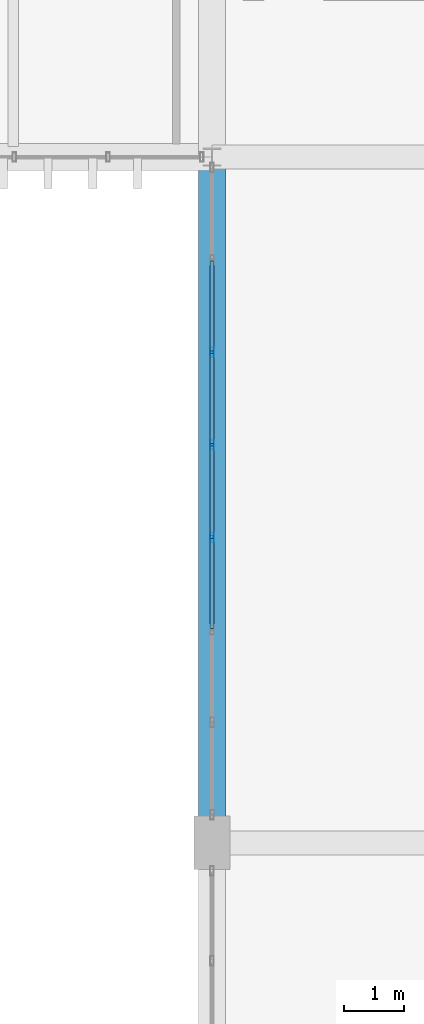
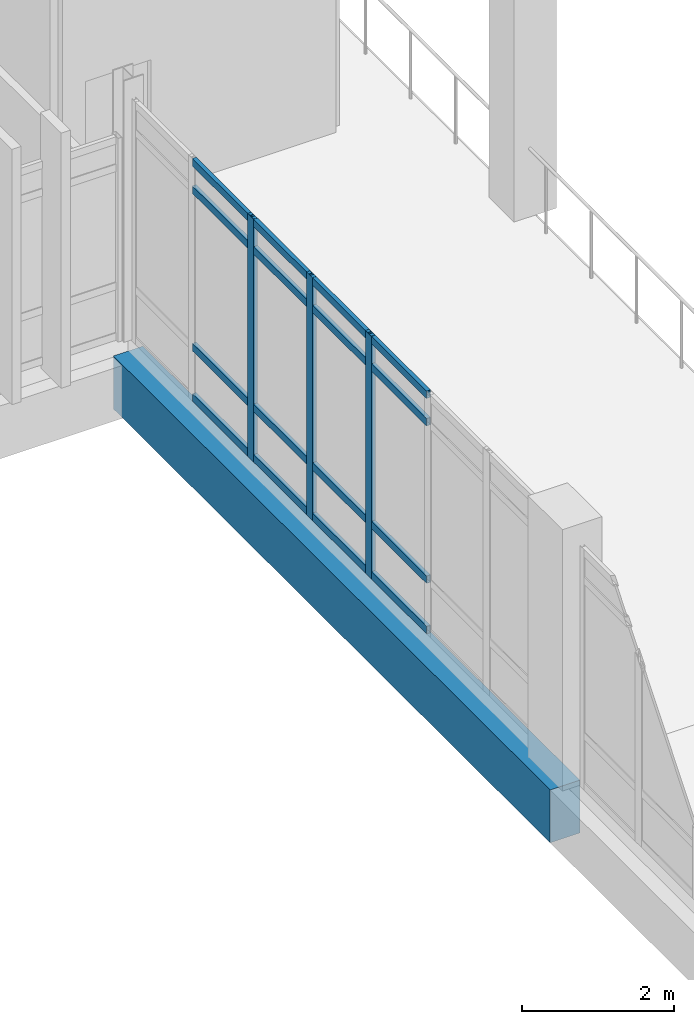
# One storey, part 83 of 161: 19 members, 1 beam, 1 element without a shape of its own.
"""IFC4 building model written with IfcOpenShell, lengths in metres."""

from ifc_helpers import new_model, si_unit, direction, frame, origin, origin_2d, place, context, subcontext, project, spatial, rectangle, hollow_rectangle, extrude, material, layer, layer_set, material_profile, profile_set, type_object, element, aggregate, save


model = new_model("IFC4")

# Units and contexts
model_context = context("Model", 3, precision=1e-05, world=origin(), true_north=direction((0.0, 1.0)))
body_context = subcontext(model_context, "Body", "Model", "MODEL_VIEW")
ifc_project = project(units=[si_unit("LENGTHUNIT", "METRE"), si_unit("AREAUNIT", "SQUARE_METRE"), si_unit("VOLUMEUNIT", "CUBIC_METRE"), si_unit("PLANEANGLEUNIT", "RADIAN"), si_unit("MASSUNIT", "GRAM", prefix="KILO")], contexts=[model_context])

# Site, building, storey
site_placement = place(None, origin())
site = spatial("IfcSite", under=ifc_project, at=site_placement, CompositionType="ELEMENT")
building_placement = place(site_placement, origin())
building = spatial("IfcBuilding", under=site, at=building_placement, Name="Mersad Railyard Sports Hall", CompositionType="ELEMENT")
storey_placement = place(building_placement, frame((0.0, 0.0, 4.800048828125)))
storey = spatial("IfcBuildingStorey", under=building, at=storey_placement, Name="L01", CompositionType="ELEMENT", Elevation=4.800048828125)

# Curtain wall, members
ifc_material_1 = material(Name="Aluminium 6063-T6", Category="aluminium")
ifc_layer = layer(ifc_material_1, 0.159912109375)
ifc_layer_set = layer_set([ifc_layer], Name="Aluminium 6063-T6")
curtain_wall_type = type_object("IfcCurtainWallType", Name="ARC-CW-CW27", PredefinedType="USERDEFINED", material=ifc_layer_set)
curtain_wall_placement = place(storey_placement, origin())
curtain_wall = element("IfcCurtainWall", 1, at=curtain_wall_placement, inside=storey, type_object=curtain_wall_type, Name="Curtain wall CW27-0078", ObjectType="CURTAIN WALL", PredefinedType="USERDEFINED")
ifc_material_profile_1 = material_profile(ifc_material_1, hollow_rectangle(XDim=0.06005859375, YDim=0.159912109375, WallThickness=0.00390625, at=origin_2d()), Name="AL MULLION 60x160x4")
ifc_profile_set_1 = profile_set([ifc_material_profile_1], Name="Aluminium 6063-T6")
member_type_1 = type_object("IfcMemberType", Name="ARC-CW-MUL01", PredefinedType="MULLION", material=ifc_profile_set_1)
member_1_placement = place(storey_placement, frame((131.0, 78.624267578125, -0.02001953125), z_axis=(0.0, 0.0, 1.0), x_axis=(1.0, 0.0, 0.0)))
member_1 = element("IfcMember", 2, at=member_1_placement, type_object=member_type_1, Name="CW27 Mullion 4", PredefinedType="MULLION", context=body_context, shape_type="SweptSolid", body=[
    extrude(hollow_rectangle(XDim=0.06005859375, YDim=0.159912109375, WallThickness=0.00390625, at=origin_2d()), origin(), (0.0, 0.0, 1.0), 3.89990234375),
])
member_2_placement = place(storey_placement, frame((131.0, 80.17578125, -0.02001953125), z_axis=(0.0, 0.0, 1.0), x_axis=(1.0, 0.0, 0.0)))
member_2 = element("IfcMember", 3, at=member_2_placement, type_object=member_type_1, Name="CW27 Mullion 5", PredefinedType="MULLION", context=body_context, shape_type="SweptSolid", body=[
    extrude(hollow_rectangle(XDim=0.06005859375, YDim=0.159912109375, WallThickness=0.00390625, at=origin_2d()), origin(), (0.0, 0.0, 1.0), 3.89990234375),
])
member_3_placement = place(storey_placement, frame((131.0, 81.72705078125, -0.02001953125), z_axis=(0.0, 0.0, 1.0), x_axis=(1.0, 0.0, 0.0)))
member_3 = element("IfcMember", 4, at=member_3_placement, type_object=member_type_1, Name="CW27 Mullion 6", PredefinedType="MULLION", context=body_context, shape_type="SweptSolid", body=[
    extrude(hollow_rectangle(XDim=0.06005859375, YDim=0.159912109375, WallThickness=0.00390625, at=origin_2d()), origin(), (0.0, 0.0, 1.0), 3.89990234375),
])
ifc_material_profile_2 = material_profile(ifc_material_1, hollow_rectangle(XDim=0.06005859375, YDim=0.1201171875, WallThickness=0.00390625, at=origin_2d()), Name="AL TRANSOM 60x120x4")
ifc_profile_set_2 = profile_set([ifc_material_profile_2], Name="Aluminium 6063-T6")
member_type_2 = type_object("IfcMemberType", Name="ARC-CW-TRN01", PredefinedType="USERDEFINED", material=ifc_profile_set_2)
member_4_placement = place(storey_placement, frame((131.0, 77.0927734375, 0.0400390625), z_axis=(0.0, 1.0, 0.0), x_axis=(-1.0, 0.0, 0.0)))
member_4 = element("IfcMember", 5, at=member_4_placement, type_object=member_type_2, Name="CW27 Transom 1-3", ObjectType="TRANSOM", PredefinedType="USERDEFINED", context=body_context, shape_type="SweptSolid", body=[
    extrude(hollow_rectangle(XDim=0.06005859375, YDim=0.1201171875, WallThickness=0.00390625, at=origin_2d()), origin(), (0.0, 0.0, 1.0), 1.511474609375),
])
member_5_placement = place(storey_placement, frame((131.0, 78.644287109375, 0.0400390625), z_axis=(0.0, 1.0, 0.0), x_axis=(-1.0, 0.0, 0.0)))
member_5 = element("IfcMember", 6, at=member_5_placement, type_object=member_type_2, Name="CW27 Transom 1-4", ObjectType="TRANSOM", PredefinedType="USERDEFINED", context=body_context, shape_type="SweptSolid", body=[
    extrude(hollow_rectangle(XDim=0.06005859375, YDim=0.1201171875, WallThickness=0.00390625, at=origin_2d()), origin(), (0.0, 0.0, 1.0), 1.511474609375),
])
member_6_placement = place(storey_placement, frame((131.0, 80.19580078125, 0.0400390625), z_axis=(0.0, 1.0, 0.0), x_axis=(-1.0, 0.0, 0.0)))
member_6 = element("IfcMember", 7, at=member_6_placement, type_object=member_type_2, Name="CW27 Transom 1-5", ObjectType="TRANSOM", PredefinedType="USERDEFINED", context=body_context, shape_type="SweptSolid", body=[
    extrude(hollow_rectangle(XDim=0.06005859375, YDim=0.1201171875, WallThickness=0.00390625, at=origin_2d()), origin(), (0.0, 0.0, 1.0), 1.51123046875),
])
member_7_placement = place(storey_placement, frame((131.0, 81.7470703125, 0.0400390625), z_axis=(0.0, 1.0, 0.0), x_axis=(-1.0, 0.0, 0.0)))
member_7 = element("IfcMember", 8, at=member_7_placement, type_object=member_type_2, Name="CW27 Transom 1-6", ObjectType="TRANSOM", PredefinedType="USERDEFINED", context=body_context, shape_type="SweptSolid", body=[
    extrude(hollow_rectangle(XDim=0.06005859375, YDim=0.1201171875, WallThickness=0.00390625, at=origin_2d()), origin(), (0.0, 0.0, 1.0), 1.511474609375),
])
member_8_placement = place(storey_placement, frame((131.0, 77.0927734375, 0.849853515625), z_axis=(0.0, 1.0, 0.0), x_axis=(-1.0, 0.0, 0.0)))
member_8 = element("IfcMember", 9, at=member_8_placement, type_object=member_type_2, Name="CW27 Transom 2-3", ObjectType="TRANSOM", PredefinedType="USERDEFINED", context=body_context, shape_type="SweptSolid", body=[
    extrude(hollow_rectangle(XDim=0.06005859375, YDim=0.1201171875, WallThickness=0.00390625, at=origin_2d()), origin(), (0.0, 0.0, 1.0), 1.511474609375),
])
member_9_placement = place(storey_placement, frame((131.0, 78.644287109375, 0.849853515625), z_axis=(0.0, 1.0, 0.0), x_axis=(-1.0, 0.0, 0.0)))
member_9 = element("IfcMember", 10, at=member_9_placement, type_object=member_type_2, Name="CW27 Transom 2-4", ObjectType="TRANSOM", PredefinedType="USERDEFINED", context=body_context, shape_type="SweptSolid", body=[
    extrude(hollow_rectangle(XDim=0.06005859375, YDim=0.1201171875, WallThickness=0.00390625, at=origin_2d()), origin(), (0.0, 0.0, 1.0), 1.511474609375),
])
member_10_placement = place(storey_placement, frame((131.0, 80.19580078125, 0.849853515625), z_axis=(0.0, 1.0, 0.0), x_axis=(-1.0, 0.0, 0.0)))
member_10 = element("IfcMember", 11, at=member_10_placement, type_object=member_type_2, Name="CW27 Transom 2-5", ObjectType="TRANSOM", PredefinedType="USERDEFINED", context=body_context, shape_type="SweptSolid", body=[
    extrude(hollow_rectangle(XDim=0.06005859375, YDim=0.1201171875, WallThickness=0.00390625, at=origin_2d()), origin(), (0.0, 0.0, 1.0), 1.51123046875),
])
member_11_placement = place(storey_placement, frame((131.0, 81.7470703125, 0.849853515625), z_axis=(0.0, 1.0, 0.0), x_axis=(-1.0, 0.0, 0.0)))
member_11 = element("IfcMember", 12, at=member_11_placement, type_object=member_type_2, Name="CW27 Transom 2-6", ObjectType="TRANSOM", PredefinedType="USERDEFINED", context=body_context, shape_type="SweptSolid", body=[
    extrude(hollow_rectangle(XDim=0.06005859375, YDim=0.1201171875, WallThickness=0.00390625, at=origin_2d()), origin(), (0.0, 0.0, 1.0), 1.511474609375),
])
member_12_placement = place(storey_placement, frame((131.0, 77.0927734375, 3.3798828125), z_axis=(0.0, 1.0, 0.0), x_axis=(-1.0, 0.0, 0.0)))
member_12 = element("IfcMember", 13, at=member_12_placement, type_object=member_type_2, Name="CW27 Transom 3-3", ObjectType="TRANSOM", PredefinedType="USERDEFINED", context=body_context, shape_type="SweptSolid", body=[
    extrude(hollow_rectangle(XDim=0.06005859375, YDim=0.1201171875, WallThickness=0.00390625, at=origin_2d()), origin(), (0.0, 0.0, 1.0), 1.511474609375),
])
member_13_placement = place(storey_placement, frame((131.0, 78.644287109375, 3.3798828125), z_axis=(0.0, 1.0, 0.0), x_axis=(-1.0, 0.0, 0.0)))
member_13 = element("IfcMember", 14, at=member_13_placement, type_object=member_type_2, Name="CW27 Transom 3-4", ObjectType="TRANSOM", PredefinedType="USERDEFINED", context=body_context, shape_type="SweptSolid", body=[
    extrude(hollow_rectangle(XDim=0.06005859375, YDim=0.1201171875, WallThickness=0.00390625, at=origin_2d()), origin(), (0.0, 0.0, 1.0), 1.511474609375),
])
member_14_placement = place(storey_placement, frame((131.0, 80.19580078125, 3.3798828125), z_axis=(0.0, 1.0, 0.0), x_axis=(-1.0, 0.0, 0.0)))
member_14 = element("IfcMember", 15, at=member_14_placement, type_object=member_type_2, Name="CW27 Transom 3-5", ObjectType="TRANSOM", PredefinedType="USERDEFINED", context=body_context, shape_type="SweptSolid", body=[
    extrude(hollow_rectangle(XDim=0.06005859375, YDim=0.1201171875, WallThickness=0.00390625, at=origin_2d()), origin(), (0.0, 0.0, 1.0), 1.51123046875),
])
member_15_placement = place(storey_placement, frame((131.0, 81.7470703125, 3.3798828125), z_axis=(0.0, 1.0, 0.0), x_axis=(-1.0, 0.0, 0.0)))
member_15 = element("IfcMember", 16, at=member_15_placement, type_object=member_type_2, Name="CW27 Transom 3-6", ObjectType="TRANSOM", PredefinedType="USERDEFINED", context=body_context, shape_type="SweptSolid", body=[
    extrude(hollow_rectangle(XDim=0.06005859375, YDim=0.1201171875, WallThickness=0.00390625, at=origin_2d()), origin(), (0.0, 0.0, 1.0), 1.511474609375),
])
member_16_placement = place(storey_placement, frame((131.0, 77.0927734375, 3.820068359375), z_axis=(0.0, 1.0, 0.0), x_axis=(-1.0, 0.0, 0.0)))
member_16 = element("IfcMember", 17, at=member_16_placement, type_object=member_type_2, Name="CW27 Transom 4-3", ObjectType="TRANSOM", PredefinedType="USERDEFINED", context=body_context, shape_type="SweptSolid", body=[
    extrude(hollow_rectangle(XDim=0.06005859375, YDim=0.1201171875, WallThickness=0.00390625, at=origin_2d()), origin(), (0.0, 0.0, 1.0), 1.511474609375),
])
member_17_placement = place(storey_placement, frame((131.0, 78.644287109375, 3.820068359375), z_axis=(0.0, 1.0, 0.0), x_axis=(-1.0, 0.0, 0.0)))
member_17 = element("IfcMember", 18, at=member_17_placement, type_object=member_type_2, Name="CW27 Transom 4-4", ObjectType="TRANSOM", PredefinedType="USERDEFINED", context=body_context, shape_type="SweptSolid", body=[
    extrude(hollow_rectangle(XDim=0.06005859375, YDim=0.1201171875, WallThickness=0.00390625, at=origin_2d()), origin(), (0.0, 0.0, 1.0), 1.511474609375),
])
member_18_placement = place(storey_placement, frame((131.0, 80.19580078125, 3.820068359375), z_axis=(0.0, 1.0, 0.0), x_axis=(-1.0, 0.0, 0.0)))
member_18 = element("IfcMember", 19, at=member_18_placement, type_object=member_type_2, Name="CW27 Transom 4-5", ObjectType="TRANSOM", PredefinedType="USERDEFINED", context=body_context, shape_type="SweptSolid", body=[
    extrude(hollow_rectangle(XDim=0.06005859375, YDim=0.1201171875, WallThickness=0.00390625, at=origin_2d()), origin(), (0.0, 0.0, 1.0), 1.51123046875),
])
member_19_placement = place(storey_placement, frame((131.0, 81.7470703125, 3.820068359375), z_axis=(0.0, 1.0, 0.0), x_axis=(-1.0, 0.0, 0.0)))
member_19 = element("IfcMember", 20, at=member_19_placement, type_object=member_type_2, Name="CW27 Transom 4-6", ObjectType="TRANSOM", PredefinedType="USERDEFINED", context=body_context, shape_type="SweptSolid", body=[
    extrude(hollow_rectangle(XDim=0.06005859375, YDim=0.1201171875, WallThickness=0.00390625, at=origin_2d()), origin(), (0.0, 0.0, 1.0), 1.511474609375),
])
aggregate(curtain_wall, [member_1, member_2, member_3, member_4, member_5, member_6, member_7, member_8, member_9, member_10, member_11, member_12, member_13, member_14, member_15, member_16, member_17, member_18, member_19])

# Beam
ifc_material_2 = material(Name="Concrete C40/50", Category="concrete")
ifc_material_profile_3 = material_profile(ifc_material_2, rectangle(XDim=0.449951171875, YDim=0.85009765625, at=origin_2d()), Name="RC 450x850")
ifc_profile_set_3 = profile_set([ifc_material_profile_3], Name="Concrete C40/50")
beam_type = type_object("IfcBeamType", Name="STR-BM-B02", PredefinedType="BEAM", material=ifc_profile_set_3)
beam_placement = place(storey_placement, frame((131.0, 73.5, -0.705078125), z_axis=(0.0, 1.0, 0.0), x_axis=(-1.0, 0.0, 0.0)))
element("IfcBeam", 21, at=beam_placement, inside=storey, type_object=beam_type, Name="Beam B02-0903", PredefinedType="BEAM", context=body_context, shape_type="SweptSolid", body=[
    extrude(rectangle(XDim=0.449951171875, YDim=0.85009765625, at=origin_2d()), origin(), (0.0, 0.0, 1.0), 11.5),
])

save(model, "model.ifc")
